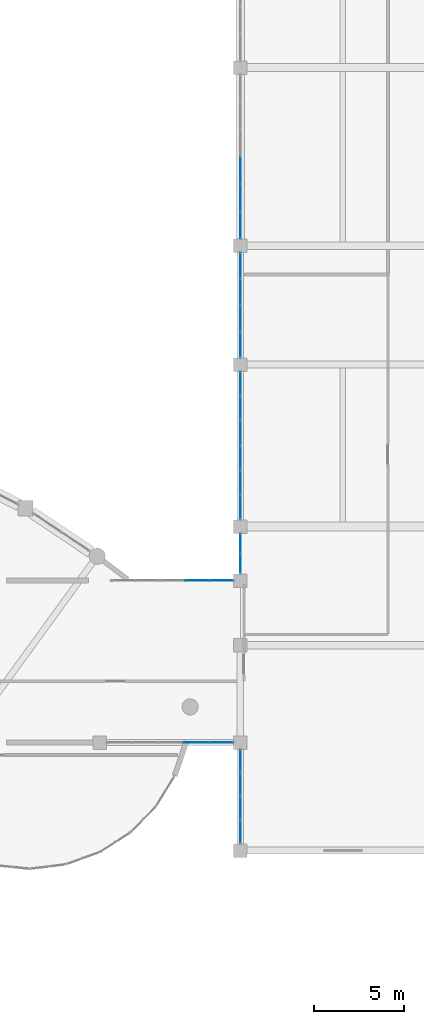
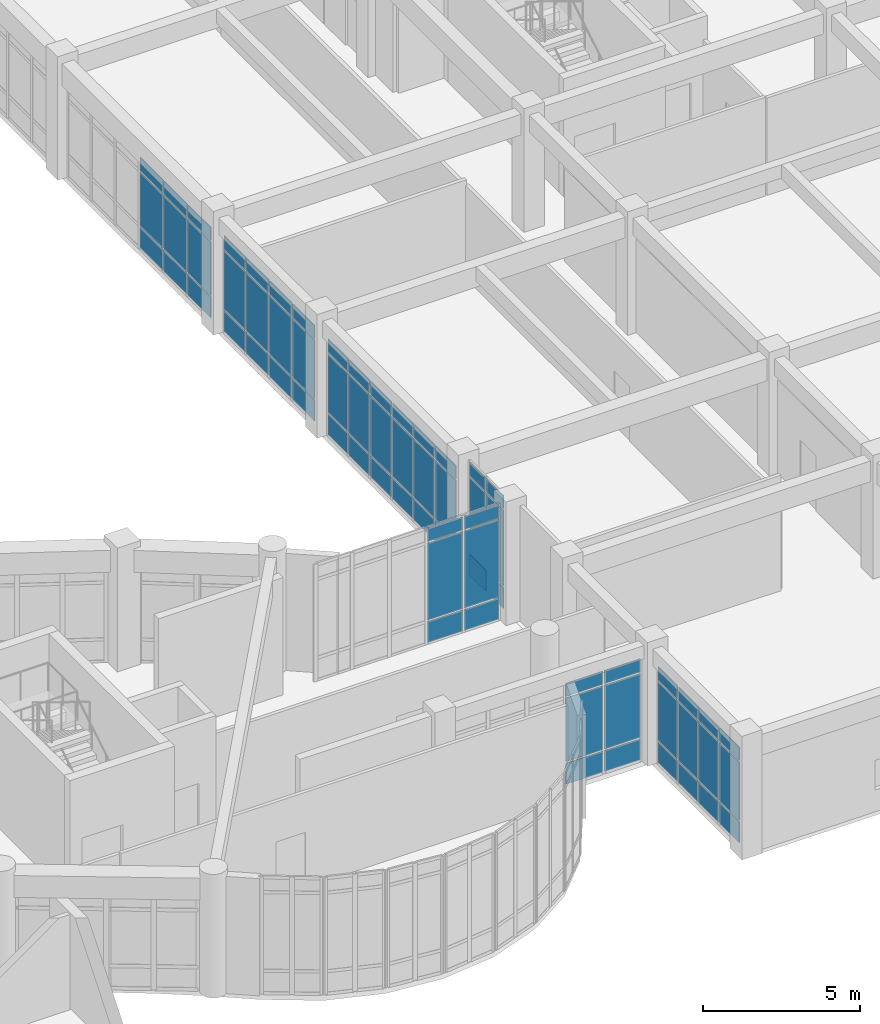
# One storey, part 46 of 68: 69 plates, 7 elements without a shape of their own.
"""IFC4 building model written with IfcOpenShell, lengths in metres."""

from ifc_helpers import new_model, si_unit, direction, frame, origin, origin_2d, place, context, subcontext, project, spatial, rectangle, extrude, material, layer, layer_set, type_object, element, aggregate, save


model = new_model("IFC4")

# Units and contexts
model_context = context("Model", 3, precision=1e-05, world=origin(), true_north=direction((0.0, 1.0)))
body_context = subcontext(model_context, "Body", "Model", "MODEL_VIEW")
ifc_project = project(units=[si_unit("LENGTHUNIT", "METRE"), si_unit("AREAUNIT", "SQUARE_METRE"), si_unit("VOLUMEUNIT", "CUBIC_METRE"), si_unit("PLANEANGLEUNIT", "RADIAN"), si_unit("MASSUNIT", "GRAM", prefix="KILO")], contexts=[model_context])

# Site, building, storey
site_placement = place(None, origin())
site = spatial("IfcSite", under=ifc_project, at=site_placement, CompositionType="ELEMENT")
building_placement = place(site_placement, origin())
building = spatial("IfcBuilding", under=site, at=building_placement, Name="Miralva Faculty of Natural Sciences", CompositionType="ELEMENT")
storey_placement = place(building_placement, frame((0.0, 0.0, 5.39990234375)))
storey = spatial("IfcBuildingStorey", under=building, at=storey_placement, Name="L01", CompositionType="ELEMENT", Elevation=5.39990234375)

# Curtain wall, plates
ifc_material = material(Name="Laminated solar-control glass", Category="glass")
ifc_layer_1 = layer(ifc_material, 0.179931640625, Name="CW-COM-L01")
ifc_layer_set_1 = layer_set([ifc_layer_1], Name="Laminated solar-control glass")
curtain_wall_type = type_object("IfcCurtainWallType", Name="CW-COM-L01", PredefinedType="USERDEFINED", material=ifc_layer_set_1)
curtain_wall_1_placement = place(storey_placement, origin())
curtain_wall_1 = element("IfcCurtainWall", 1, at=curtain_wall_1_placement, inside=storey, type_object=curtain_wall_type, Name="Curtain wall CW-10 L01-261", ObjectType="UNITISED CURTAIN WALL", PredefinedType="USERDEFINED")
ifc_layer_2 = layer(ifc_material, 0.028076171875, Name="PNL-P01")
ifc_layer_set_2 = layer_set([ifc_layer_2], Name="Laminated solar-control glass")
plate_type = type_object("IfcPlateType", Name="PNL-P01", PredefinedType="CURTAIN_PANEL", material=ifc_layer_set_2)
plate_1_placement = place(storey_placement, frame((133.800048828125, 13.038818359375, 0.06005859375), z_axis=(0.0, 0.0, 1.0), x_axis=(0.0, 1.0, 0.0)))
plate_1 = element("IfcPlate", 2, at=plate_1_placement, type_object=plate_type, Name="CW-10 panel 1.1", PredefinedType="CURTAIN_PANEL", context=body_context, shape_type="SweptSolid", body=[
    extrude(rectangle(XDim=1.2275390625, YDim=0.028076171875, at=origin_2d()), origin(), (0.0, 0.0, 1.0), 0.81005859375),
])
plate_2_placement = place(storey_placement, frame((133.800048828125, 13.038818359375, 0.93017578125), z_axis=(0.0, 0.0, 1.0), x_axis=(0.0, 1.0, 0.0)))
plate_2 = element("IfcPlate", 3, at=plate_2_placement, type_object=plate_type, Name="CW-10 panel 1.2", PredefinedType="CURTAIN_PANEL", context=body_context, shape_type="SweptSolid", body=[
    extrude(rectangle(XDim=1.2275390625, YDim=0.028076171875, at=origin_2d()), origin(), (0.0, 0.0, 1.0), 2.264892578125),
])
plate_3_placement = place(storey_placement, frame((133.800048828125, 13.038818359375, 3.2548828125), z_axis=(0.0, 0.0, 1.0), x_axis=(0.0, 1.0, 0.0)))
plate_3 = element("IfcPlate", 4, at=plate_3_placement, type_object=plate_type, Name="CW-10 panel 1.3", PredefinedType="CURTAIN_PANEL", context=body_context, shape_type="SweptSolid", body=[
    extrude(rectangle(XDim=1.2275390625, YDim=0.028076171875, at=origin_2d()), origin(), (0.0, 0.0, 1.0), 0.510009765625),
])
plate_4_placement = place(storey_placement, frame((133.800048828125, 14.34130859375, 0.06005859375), z_axis=(0.0, 0.0, 1.0), x_axis=(0.0, 1.0, 0.0)))
plate_4 = element("IfcPlate", 5, at=plate_4_placement, type_object=plate_type, Name="CW-10 panel 2.1", PredefinedType="CURTAIN_PANEL", context=body_context, shape_type="SweptSolid", body=[
    extrude(rectangle(XDim=1.257568359375, YDim=0.028076171875, at=origin_2d()), origin(), (0.0, 0.0, 1.0), 0.81005859375),
])
plate_5_placement = place(storey_placement, frame((133.800048828125, 14.34130859375, 0.93017578125), z_axis=(0.0, 0.0, 1.0), x_axis=(0.0, 1.0, 0.0)))
plate_5 = element("IfcPlate", 6, at=plate_5_placement, type_object=plate_type, Name="CW-10 panel 2.2", PredefinedType="CURTAIN_PANEL", context=body_context, shape_type="SweptSolid", body=[
    extrude(rectangle(XDim=1.257568359375, YDim=0.028076171875, at=origin_2d()), origin(), (0.0, 0.0, 1.0), 2.264892578125),
])
plate_6_placement = place(storey_placement, frame((133.800048828125, 14.34130859375, 3.2548828125), z_axis=(0.0, 0.0, 1.0), x_axis=(0.0, 1.0, 0.0)))
plate_6 = element("IfcPlate", 7, at=plate_6_placement, type_object=plate_type, Name="CW-10 panel 2.3", PredefinedType="CURTAIN_PANEL", context=body_context, shape_type="SweptSolid", body=[
    extrude(rectangle(XDim=1.257568359375, YDim=0.028076171875, at=origin_2d()), origin(), (0.0, 0.0, 1.0), 0.510009765625),
])
plate_7_placement = place(storey_placement, frame((133.800048828125, 15.65869140625, 0.06005859375), z_axis=(0.0, 0.0, 1.0), x_axis=(0.0, 1.0, 0.0)))
plate_7 = element("IfcPlate", 8, at=plate_7_placement, type_object=plate_type, Name="CW-10 panel 3.1", PredefinedType="CURTAIN_PANEL", context=body_context, shape_type="SweptSolid", body=[
    extrude(rectangle(XDim=1.257568359375, YDim=0.028076171875, at=origin_2d()), origin(), (0.0, 0.0, 1.0), 0.81005859375),
])
plate_8_placement = place(storey_placement, frame((133.800048828125, 15.65869140625, 0.93017578125), z_axis=(0.0, 0.0, 1.0), x_axis=(0.0, 1.0, 0.0)))
plate_8 = element("IfcPlate", 9, at=plate_8_placement, type_object=plate_type, Name="CW-10 panel 3.2", PredefinedType="CURTAIN_PANEL", context=body_context, shape_type="SweptSolid", body=[
    extrude(rectangle(XDim=1.257568359375, YDim=0.028076171875, at=origin_2d()), origin(), (0.0, 0.0, 1.0), 2.264892578125),
])
plate_9_placement = place(storey_placement, frame((133.800048828125, 15.65869140625, 3.2548828125), z_axis=(0.0, 0.0, 1.0), x_axis=(0.0, 1.0, 0.0)))
plate_9 = element("IfcPlate", 10, at=plate_9_placement, type_object=plate_type, Name="CW-10 panel 3.3", PredefinedType="CURTAIN_PANEL", context=body_context, shape_type="SweptSolid", body=[
    extrude(rectangle(XDim=1.257568359375, YDim=0.028076171875, at=origin_2d()), origin(), (0.0, 0.0, 1.0), 0.510009765625),
])
plate_10_placement = place(storey_placement, frame((133.800048828125, 16.961181640625, 0.06005859375), z_axis=(0.0, 0.0, 1.0), x_axis=(0.0, 1.0, 0.0)))
plate_10 = element("IfcPlate", 11, at=plate_10_placement, type_object=plate_type, Name="CW-10 panel 4.1", PredefinedType="CURTAIN_PANEL", context=body_context, shape_type="SweptSolid", body=[
    extrude(rectangle(XDim=1.2275390625, YDim=0.028076171875, at=origin_2d()), origin(), (0.0, 0.0, 1.0), 0.81005859375),
])
plate_11_placement = place(storey_placement, frame((133.800048828125, 16.961181640625, 0.93017578125), z_axis=(0.0, 0.0, 1.0), x_axis=(0.0, 1.0, 0.0)))
plate_11 = element("IfcPlate", 12, at=plate_11_placement, type_object=plate_type, Name="CW-10 panel 4.2", PredefinedType="CURTAIN_PANEL", context=body_context, shape_type="SweptSolid", body=[
    extrude(rectangle(XDim=1.2275390625, YDim=0.028076171875, at=origin_2d()), origin(), (0.0, 0.0, 1.0), 2.264892578125),
])
plate_12_placement = place(storey_placement, frame((133.800048828125, 16.961181640625, 3.2548828125), z_axis=(0.0, 0.0, 1.0), x_axis=(0.0, 1.0, 0.0)))
plate_12 = element("IfcPlate", 13, at=plate_12_placement, type_object=plate_type, Name="CW-10 panel 4.3", PredefinedType="CURTAIN_PANEL", context=body_context, shape_type="SweptSolid", body=[
    extrude(rectangle(XDim=1.2275390625, YDim=0.028076171875, at=origin_2d()), origin(), (0.0, 0.0, 1.0), 0.510009765625),
])
aggregate(curtain_wall_1, [plate_1, plate_2, plate_3, plate_4, plate_5, plate_6, plate_7, plate_8, plate_9, plate_10, plate_11, plate_12])

curtain_wall_2_placement = place(storey_placement, origin())
curtain_wall_2 = element("IfcCurtainWall", 14, at=curtain_wall_2_placement, inside=storey, type_object=curtain_wall_type, Name="Curtain wall CW-10 L01-262", ObjectType="UNITISED CURTAIN WALL", PredefinedType="USERDEFINED")
plate_13_placement = place(storey_placement, frame((133.800048828125, 27.947509765625, 0.06005859375), z_axis=(0.0, 0.0, 1.0), x_axis=(0.0, 1.0, 0.0)))
plate_13 = element("IfcPlate", 15, at=plate_13_placement, type_object=plate_type, Name="CW-10 panel 1.1", PredefinedType="CURTAIN_PANEL", context=body_context, shape_type="SweptSolid", body=[
    extrude(rectangle(XDim=1.044921875, YDim=0.028076171875, at=origin_2d()), origin(), (0.0, 0.0, 1.0), 0.81005859375),
])
plate_14_placement = place(storey_placement, frame((133.800048828125, 27.947509765625, 0.93017578125), z_axis=(0.0, 0.0, 1.0), x_axis=(0.0, 1.0, 0.0)))
plate_14 = element("IfcPlate", 16, at=plate_14_placement, type_object=plate_type, Name="CW-10 panel 1.2", PredefinedType="CURTAIN_PANEL", context=body_context, shape_type="SweptSolid", body=[
    extrude(rectangle(XDim=1.044921875, YDim=0.028076171875, at=origin_2d()), origin(), (0.0, 0.0, 1.0), 2.93994140625),
])
plate_15_placement = place(storey_placement, frame((133.800048828125, 27.947509765625, 3.93017578125), z_axis=(0.0, 0.0, 1.0), x_axis=(0.0, 1.0, 0.0)))
plate_15 = element("IfcPlate", 17, at=plate_15_placement, type_object=plate_type, Name="CW-10 panel 1.3", PredefinedType="CURTAIN_PANEL", context=body_context, shape_type="SweptSolid", body=[
    extrude(rectangle(XDim=1.044921875, YDim=0.028076171875, at=origin_2d()), origin(), (0.0, 0.0, 1.0), 0.510009765625),
])
plate_16_placement = place(storey_placement, frame((133.800048828125, 29.052490234375, 0.06005859375), z_axis=(0.0, 0.0, 1.0), x_axis=(0.0, 1.0, 0.0)))
plate_16 = element("IfcPlate", 18, at=plate_16_placement, type_object=plate_type, Name="CW-10 panel 2.1", PredefinedType="CURTAIN_PANEL", context=body_context, shape_type="SweptSolid", body=[
    extrude(rectangle(XDim=1.044921875, YDim=0.028076171875, at=origin_2d()), origin(), (0.0, 0.0, 1.0), 0.81005859375),
])
plate_17_placement = place(storey_placement, frame((133.800048828125, 29.052490234375, 0.93017578125), z_axis=(0.0, 0.0, 1.0), x_axis=(0.0, 1.0, 0.0)))
plate_17 = element("IfcPlate", 19, at=plate_17_placement, type_object=plate_type, Name="CW-10 panel 2.2", PredefinedType="CURTAIN_PANEL", context=body_context, shape_type="SweptSolid", body=[
    extrude(rectangle(XDim=1.044921875, YDim=0.028076171875, at=origin_2d()), origin(), (0.0, 0.0, 1.0), 2.93994140625),
])
plate_18_placement = place(storey_placement, frame((133.800048828125, 29.052490234375, 3.93017578125), z_axis=(0.0, 0.0, 1.0), x_axis=(0.0, 1.0, 0.0)))
plate_18 = element("IfcPlate", 20, at=plate_18_placement, type_object=plate_type, Name="CW-10 panel 2.3", PredefinedType="CURTAIN_PANEL", context=body_context, shape_type="SweptSolid", body=[
    extrude(rectangle(XDim=1.044921875, YDim=0.028076171875, at=origin_2d()), origin(), (0.0, 0.0, 1.0), 0.510009765625),
])
aggregate(curtain_wall_2, [plate_13, plate_14, plate_15, plate_16, plate_17, plate_18])

curtain_wall_3_placement = place(storey_placement, origin())
curtain_wall_3 = element("IfcCurtainWall", 21, at=curtain_wall_3_placement, inside=storey, type_object=curtain_wall_type, Name="Curtain wall CW-10 L01-263", ObjectType="UNITISED CURTAIN WALL", PredefinedType="USERDEFINED")
plate_19_placement = place(storey_placement, frame((133.800048828125, 31.069091796875, 0.06005859375), z_axis=(0.0, 0.0, 1.0), x_axis=(0.0, 1.0, 0.0)))
plate_19 = element("IfcPlate", 22, at=plate_19_placement, type_object=plate_type, Name="CW-10 panel 1.1", PredefinedType="CURTAIN_PANEL", context=body_context, shape_type="SweptSolid", body=[
    extrude(rectangle(XDim=1.288330078125, YDim=0.028076171875, at=origin_2d()), origin(), (0.0, 0.0, 1.0), 0.81005859375),
])
plate_20_placement = place(storey_placement, frame((133.800048828125, 31.069091796875, 0.93017578125), z_axis=(0.0, 0.0, 1.0), x_axis=(0.0, 1.0, 0.0)))
plate_20 = element("IfcPlate", 23, at=plate_20_placement, type_object=plate_type, Name="CW-10 panel 1.2", PredefinedType="CURTAIN_PANEL", context=body_context, shape_type="SweptSolid", body=[
    extrude(rectangle(XDim=1.288330078125, YDim=0.028076171875, at=origin_2d()), origin(), (0.0, 0.0, 1.0), 2.264892578125),
])
plate_21_placement = place(storey_placement, frame((133.800048828125, 31.069091796875, 3.2548828125), z_axis=(0.0, 0.0, 1.0), x_axis=(0.0, 1.0, 0.0)))
plate_21 = element("IfcPlate", 24, at=plate_21_placement, type_object=plate_type, Name="CW-10 panel 1.3", PredefinedType="CURTAIN_PANEL", context=body_context, shape_type="SweptSolid", body=[
    extrude(rectangle(XDim=1.288330078125, YDim=0.028076171875, at=origin_2d()), origin(), (0.0, 0.0, 1.0), 0.510009765625),
])
plate_22_placement = place(storey_placement, frame((133.800048828125, 32.4326171875, 0.06005859375), z_axis=(0.0, 0.0, 1.0), x_axis=(0.0, 1.0, 0.0)))
plate_22 = element("IfcPlate", 25, at=plate_22_placement, type_object=plate_type, Name="CW-10 panel 2.1", PredefinedType="CURTAIN_PANEL", context=body_context, shape_type="SweptSolid", body=[
    extrude(rectangle(XDim=1.318359375, YDim=0.028076171875, at=origin_2d()), origin(), (0.0, 0.0, 1.0), 0.81005859375),
])
plate_23_placement = place(storey_placement, frame((133.800048828125, 32.4326171875, 0.93017578125), z_axis=(0.0, 0.0, 1.0), x_axis=(0.0, 1.0, 0.0)))
plate_23 = element("IfcPlate", 26, at=plate_23_placement, type_object=plate_type, Name="CW-10 panel 2.2", PredefinedType="CURTAIN_PANEL", context=body_context, shape_type="SweptSolid", body=[
    extrude(rectangle(XDim=1.318359375, YDim=0.028076171875, at=origin_2d()), origin(), (0.0, 0.0, 1.0), 2.264892578125),
])
plate_24_placement = place(storey_placement, frame((133.800048828125, 32.4326171875, 3.2548828125), z_axis=(0.0, 0.0, 1.0), x_axis=(0.0, 1.0, 0.0)))
plate_24 = element("IfcPlate", 27, at=plate_24_placement, type_object=plate_type, Name="CW-10 panel 2.3", PredefinedType="CURTAIN_PANEL", context=body_context, shape_type="SweptSolid", body=[
    extrude(rectangle(XDim=1.318359375, YDim=0.028076171875, at=origin_2d()), origin(), (0.0, 0.0, 1.0), 0.510009765625),
])
plate_25_placement = place(storey_placement, frame((133.800048828125, 33.810791015625, 0.06005859375), z_axis=(0.0, 0.0, 1.0), x_axis=(0.0, 1.0, 0.0)))
plate_25 = element("IfcPlate", 28, at=plate_25_placement, type_object=plate_type, Name="CW-10 panel 3.1", PredefinedType="CURTAIN_PANEL", context=body_context, shape_type="SweptSolid", body=[
    extrude(rectangle(XDim=1.318359375, YDim=0.028076171875, at=origin_2d()), origin(), (0.0, 0.0, 1.0), 0.81005859375),
])
plate_26_placement = place(storey_placement, frame((133.800048828125, 33.810791015625, 0.93017578125), z_axis=(0.0, 0.0, 1.0), x_axis=(0.0, 1.0, 0.0)))
plate_26 = element("IfcPlate", 29, at=plate_26_placement, type_object=plate_type, Name="CW-10 panel 3.2", PredefinedType="CURTAIN_PANEL", context=body_context, shape_type="SweptSolid", body=[
    extrude(rectangle(XDim=1.318359375, YDim=0.028076171875, at=origin_2d()), origin(), (0.0, 0.0, 1.0), 2.264892578125),
])
plate_27_placement = place(storey_placement, frame((133.800048828125, 33.810791015625, 3.2548828125), z_axis=(0.0, 0.0, 1.0), x_axis=(0.0, 1.0, 0.0)))
plate_27 = element("IfcPlate", 30, at=plate_27_placement, type_object=plate_type, Name="CW-10 panel 3.3", PredefinedType="CURTAIN_PANEL", context=body_context, shape_type="SweptSolid", body=[
    extrude(rectangle(XDim=1.318359375, YDim=0.028076171875, at=origin_2d()), origin(), (0.0, 0.0, 1.0), 0.510009765625),
])
plate_28_placement = place(storey_placement, frame((133.800048828125, 35.189208984375, 0.06005859375), z_axis=(0.0, 0.0, 1.0), x_axis=(0.0, 1.0, 0.0)))
plate_28 = element("IfcPlate", 31, at=plate_28_placement, type_object=plate_type, Name="CW-10 panel 4.1", PredefinedType="CURTAIN_PANEL", context=body_context, shape_type="SweptSolid", body=[
    extrude(rectangle(XDim=1.318359375, YDim=0.028076171875, at=origin_2d()), origin(), (0.0, 0.0, 1.0), 0.81005859375),
])
plate_29_placement = place(storey_placement, frame((133.800048828125, 35.189208984375, 0.93017578125), z_axis=(0.0, 0.0, 1.0), x_axis=(0.0, 1.0, 0.0)))
plate_29 = element("IfcPlate", 32, at=plate_29_placement, type_object=plate_type, Name="CW-10 panel 4.2", PredefinedType="CURTAIN_PANEL", context=body_context, shape_type="SweptSolid", body=[
    extrude(rectangle(XDim=1.318359375, YDim=0.028076171875, at=origin_2d()), origin(), (0.0, 0.0, 1.0), 2.264892578125),
])
plate_30_placement = place(storey_placement, frame((133.800048828125, 35.189208984375, 3.2548828125), z_axis=(0.0, 0.0, 1.0), x_axis=(0.0, 1.0, 0.0)))
plate_30 = element("IfcPlate", 33, at=plate_30_placement, type_object=plate_type, Name="CW-10 panel 4.3", PredefinedType="CURTAIN_PANEL", context=body_context, shape_type="SweptSolid", body=[
    extrude(rectangle(XDim=1.318359375, YDim=0.028076171875, at=origin_2d()), origin(), (0.0, 0.0, 1.0), 0.510009765625),
])
plate_31_placement = place(storey_placement, frame((133.800048828125, 36.5673828125, 0.06005859375), z_axis=(0.0, 0.0, 1.0), x_axis=(0.0, 1.0, 0.0)))
plate_31 = element("IfcPlate", 34, at=plate_31_placement, type_object=plate_type, Name="CW-10 panel 5.1", PredefinedType="CURTAIN_PANEL", context=body_context, shape_type="SweptSolid", body=[
    extrude(rectangle(XDim=1.318359375, YDim=0.028076171875, at=origin_2d()), origin(), (0.0, 0.0, 1.0), 0.81005859375),
])
plate_32_placement = place(storey_placement, frame((133.800048828125, 36.5673828125, 0.93017578125), z_axis=(0.0, 0.0, 1.0), x_axis=(0.0, 1.0, 0.0)))
plate_32 = element("IfcPlate", 35, at=plate_32_placement, type_object=plate_type, Name="CW-10 panel 5.2", PredefinedType="CURTAIN_PANEL", context=body_context, shape_type="SweptSolid", body=[
    extrude(rectangle(XDim=1.318359375, YDim=0.028076171875, at=origin_2d()), origin(), (0.0, 0.0, 1.0), 2.264892578125),
])
plate_33_placement = place(storey_placement, frame((133.800048828125, 36.5673828125, 3.2548828125), z_axis=(0.0, 0.0, 1.0), x_axis=(0.0, 1.0, 0.0)))
plate_33 = element("IfcPlate", 36, at=plate_33_placement, type_object=plate_type, Name="CW-10 panel 5.3", PredefinedType="CURTAIN_PANEL", context=body_context, shape_type="SweptSolid", body=[
    extrude(rectangle(XDim=1.318359375, YDim=0.028076171875, at=origin_2d()), origin(), (0.0, 0.0, 1.0), 0.510009765625),
])
plate_34_placement = place(storey_placement, frame((133.800048828125, 37.930908203125, 0.06005859375), z_axis=(0.0, 0.0, 1.0), x_axis=(0.0, 1.0, 0.0)))
plate_34 = element("IfcPlate", 37, at=plate_34_placement, type_object=plate_type, Name="CW-10 panel 6.1", PredefinedType="CURTAIN_PANEL", context=body_context, shape_type="SweptSolid", body=[
    extrude(rectangle(XDim=1.288330078125, YDim=0.028076171875, at=origin_2d()), origin(), (0.0, 0.0, 1.0), 0.81005859375),
])
plate_35_placement = place(storey_placement, frame((133.800048828125, 37.930908203125, 0.93017578125), z_axis=(0.0, 0.0, 1.0), x_axis=(0.0, 1.0, 0.0)))
plate_35 = element("IfcPlate", 38, at=plate_35_placement, type_object=plate_type, Name="CW-10 panel 6.2", PredefinedType="CURTAIN_PANEL", context=body_context, shape_type="SweptSolid", body=[
    extrude(rectangle(XDim=1.288330078125, YDim=0.028076171875, at=origin_2d()), origin(), (0.0, 0.0, 1.0), 2.264892578125),
])
plate_36_placement = place(storey_placement, frame((133.800048828125, 37.930908203125, 3.2548828125), z_axis=(0.0, 0.0, 1.0), x_axis=(0.0, 1.0, 0.0)))
plate_36 = element("IfcPlate", 39, at=plate_36_placement, type_object=plate_type, Name="CW-10 panel 6.3", PredefinedType="CURTAIN_PANEL", context=body_context, shape_type="SweptSolid", body=[
    extrude(rectangle(XDim=1.288330078125, YDim=0.028076171875, at=origin_2d()), origin(), (0.0, 0.0, 1.0), 0.510009765625),
])
aggregate(curtain_wall_3, [plate_19, plate_20, plate_21, plate_22, plate_23, plate_24, plate_25, plate_26, plate_27, plate_28, plate_29, plate_30, plate_31, plate_32, plate_33, plate_34, plate_35, plate_36])

curtain_wall_4_placement = place(storey_placement, origin())
curtain_wall_4 = element("IfcCurtainWall", 40, at=curtain_wall_4_placement, inside=storey, type_object=curtain_wall_type, Name="Curtain wall CW-10 L01-264", ObjectType="UNITISED CURTAIN WALL", PredefinedType="USERDEFINED")
plate_37_placement = place(storey_placement, frame((133.800048828125, 40.114990234375, 0.06005859375), z_axis=(0.0, 0.0, 1.0), x_axis=(0.0, 1.0, 0.0)))
plate_37 = element("IfcPlate", 41, at=plate_37_placement, type_object=plate_type, Name="CW-10 panel 1.1", PredefinedType="CURTAIN_PANEL", context=body_context, shape_type="SweptSolid", body=[
    extrude(rectangle(XDim=1.3798828125, YDim=0.028076171875, at=origin_2d()), origin(), (0.0, 0.0, 1.0), 0.81005859375),
])
plate_38_placement = place(storey_placement, frame((133.800048828125, 40.114990234375, 0.93017578125), z_axis=(0.0, 0.0, 1.0), x_axis=(0.0, 1.0, 0.0)))
plate_38 = element("IfcPlate", 42, at=plate_38_placement, type_object=plate_type, Name="CW-10 panel 1.2", PredefinedType="CURTAIN_PANEL", context=body_context, shape_type="SweptSolid", body=[
    extrude(rectangle(XDim=1.3798828125, YDim=0.028076171875, at=origin_2d()), origin(), (0.0, 0.0, 1.0), 2.264892578125),
])
plate_39_placement = place(storey_placement, frame((133.800048828125, 40.114990234375, 3.2548828125), z_axis=(0.0, 0.0, 1.0), x_axis=(0.0, 1.0, 0.0)))
plate_39 = element("IfcPlate", 43, at=plate_39_placement, type_object=plate_type, Name="CW-10 panel 1.3", PredefinedType="CURTAIN_PANEL", context=body_context, shape_type="SweptSolid", body=[
    extrude(rectangle(XDim=1.3798828125, YDim=0.028076171875, at=origin_2d()), origin(), (0.0, 0.0, 1.0), 0.510009765625),
])
plate_40_placement = place(storey_placement, frame((133.800048828125, 41.570068359375, 0.06005859375), z_axis=(0.0, 0.0, 1.0), x_axis=(0.0, 1.0, 0.0)))
plate_40 = element("IfcPlate", 44, at=plate_40_placement, type_object=plate_type, Name="CW-10 panel 2.1", PredefinedType="CURTAIN_PANEL", context=body_context, shape_type="SweptSolid", body=[
    extrude(rectangle(XDim=1.409912109375, YDim=0.028076171875, at=origin_2d()), origin(), (0.0, 0.0, 1.0), 0.81005859375),
])
plate_41_placement = place(storey_placement, frame((133.800048828125, 41.570068359375, 0.93017578125), z_axis=(0.0, 0.0, 1.0), x_axis=(0.0, 1.0, 0.0)))
plate_41 = element("IfcPlate", 45, at=plate_41_placement, type_object=plate_type, Name="CW-10 panel 2.2", PredefinedType="CURTAIN_PANEL", context=body_context, shape_type="SweptSolid", body=[
    extrude(rectangle(XDim=1.409912109375, YDim=0.028076171875, at=origin_2d()), origin(), (0.0, 0.0, 1.0), 2.264892578125),
])
plate_42_placement = place(storey_placement, frame((133.800048828125, 41.570068359375, 3.2548828125), z_axis=(0.0, 0.0, 1.0), x_axis=(0.0, 1.0, 0.0)))
plate_42 = element("IfcPlate", 46, at=plate_42_placement, type_object=plate_type, Name="CW-10 panel 2.3", PredefinedType="CURTAIN_PANEL", context=body_context, shape_type="SweptSolid", body=[
    extrude(rectangle(XDim=1.409912109375, YDim=0.028076171875, at=origin_2d()), origin(), (0.0, 0.0, 1.0), 0.510009765625),
])
plate_43_placement = place(storey_placement, frame((133.800048828125, 43.0400390625, 0.06005859375), z_axis=(0.0, 0.0, 1.0), x_axis=(0.0, 1.0, 0.0)))
plate_43 = element("IfcPlate", 47, at=plate_43_placement, type_object=plate_type, Name="CW-10 panel 3.1", PredefinedType="CURTAIN_PANEL", context=body_context, shape_type="SweptSolid", body=[
    extrude(rectangle(XDim=1.409912109375, YDim=0.028076171875, at=origin_2d()), origin(), (0.0, 0.0, 1.0), 0.81005859375),
])
plate_44_placement = place(storey_placement, frame((133.800048828125, 43.0400390625, 0.93017578125), z_axis=(0.0, 0.0, 1.0), x_axis=(0.0, 1.0, 0.0)))
plate_44 = element("IfcPlate", 48, at=plate_44_placement, type_object=plate_type, Name="CW-10 panel 3.2", PredefinedType="CURTAIN_PANEL", context=body_context, shape_type="SweptSolid", body=[
    extrude(rectangle(XDim=1.409912109375, YDim=0.028076171875, at=origin_2d()), origin(), (0.0, 0.0, 1.0), 2.264892578125),
])
plate_45_placement = place(storey_placement, frame((133.800048828125, 43.0400390625, 3.2548828125), z_axis=(0.0, 0.0, 1.0), x_axis=(0.0, 1.0, 0.0)))
plate_45 = element("IfcPlate", 49, at=plate_45_placement, type_object=plate_type, Name="CW-10 panel 3.3", PredefinedType="CURTAIN_PANEL", context=body_context, shape_type="SweptSolid", body=[
    extrude(rectangle(XDim=1.409912109375, YDim=0.028076171875, at=origin_2d()), origin(), (0.0, 0.0, 1.0), 0.510009765625),
])
plate_46_placement = place(storey_placement, frame((133.800048828125, 44.4951171875, 0.06005859375), z_axis=(0.0, 0.0, 1.0), x_axis=(0.0, 1.0, 0.0)))
plate_46 = element("IfcPlate", 50, at=plate_46_placement, type_object=plate_type, Name="CW-10 panel 4.1", PredefinedType="CURTAIN_PANEL", context=body_context, shape_type="SweptSolid", body=[
    extrude(rectangle(XDim=1.3798828125, YDim=0.028076171875, at=origin_2d()), origin(), (0.0, 0.0, 1.0), 0.81005859375),
])
plate_47_placement = place(storey_placement, frame((133.800048828125, 44.4951171875, 0.93017578125), z_axis=(0.0, 0.0, 1.0), x_axis=(0.0, 1.0, 0.0)))
plate_47 = element("IfcPlate", 51, at=plate_47_placement, type_object=plate_type, Name="CW-10 panel 4.2", PredefinedType="CURTAIN_PANEL", context=body_context, shape_type="SweptSolid", body=[
    extrude(rectangle(XDim=1.3798828125, YDim=0.028076171875, at=origin_2d()), origin(), (0.0, 0.0, 1.0), 2.264892578125),
])
plate_48_placement = place(storey_placement, frame((133.800048828125, 44.4951171875, 3.2548828125), z_axis=(0.0, 0.0, 1.0), x_axis=(0.0, 1.0, 0.0)))
plate_48 = element("IfcPlate", 52, at=plate_48_placement, type_object=plate_type, Name="CW-10 panel 4.3", PredefinedType="CURTAIN_PANEL", context=body_context, shape_type="SweptSolid", body=[
    extrude(rectangle(XDim=1.3798828125, YDim=0.028076171875, at=origin_2d()), origin(), (0.0, 0.0, 1.0), 0.510009765625),
])
aggregate(curtain_wall_4, [plate_37, plate_38, plate_39, plate_40, plate_41, plate_42, plate_43, plate_44, plate_45, plate_46, plate_47, plate_48])

curtain_wall_5_placement = place(storey_placement, origin())
curtain_wall_5 = element("IfcCurtainWall", 53, at=curtain_wall_5_placement, inside=storey, type_object=curtain_wall_type, Name="Curtain wall CW-10 L01-265", ObjectType="UNITISED CURTAIN WALL", PredefinedType="USERDEFINED")
plate_49_placement = place(storey_placement, frame((133.800048828125, 46.744140625, 0.06005859375), z_axis=(0.0, 0.0, 1.0), x_axis=(0.0, 1.0, 0.0)))
plate_49 = element("IfcPlate", 54, at=plate_49_placement, type_object=plate_type, Name="CW-10 panel 1.1", PredefinedType="CURTAIN_PANEL", context=body_context, shape_type="SweptSolid", body=[
    extrude(rectangle(XDim=1.438232421875, YDim=0.028076171875, at=origin_2d()), origin(), (0.0, 0.0, 1.0), 0.81005859375),
])
plate_50_placement = place(storey_placement, frame((133.800048828125, 46.744140625, 0.93017578125), z_axis=(0.0, 0.0, 1.0), x_axis=(0.0, 1.0, 0.0)))
plate_50 = element("IfcPlate", 55, at=plate_50_placement, type_object=plate_type, Name="CW-10 panel 1.2", PredefinedType="CURTAIN_PANEL", context=body_context, shape_type="SweptSolid", body=[
    extrude(rectangle(XDim=1.438232421875, YDim=0.028076171875, at=origin_2d()), origin(), (0.0, 0.0, 1.0), 2.06494140625),
])
plate_51_placement = place(storey_placement, frame((133.800048828125, 46.744140625, 3.05517578125), z_axis=(0.0, 0.0, 1.0), x_axis=(0.0, 1.0, 0.0)))
plate_51 = element("IfcPlate", 56, at=plate_51_placement, type_object=plate_type, Name="CW-10 panel 1.3", PredefinedType="CURTAIN_PANEL", context=body_context, shape_type="SweptSolid", body=[
    extrude(rectangle(XDim=1.438232421875, YDim=0.028076171875, at=origin_2d()), origin(), (0.0, 0.0, 1.0), 0.510009765625),
])
plate_52_placement = place(storey_placement, frame((133.800048828125, 48.257568359375, 0.06005859375), z_axis=(0.0, 0.0, 1.0), x_axis=(0.0, 1.0, 0.0)))
plate_52 = element("IfcPlate", 57, at=plate_52_placement, type_object=plate_type, Name="CW-10 panel 2.1", PredefinedType="CURTAIN_PANEL", context=body_context, shape_type="SweptSolid", body=[
    extrude(rectangle(XDim=1.46826171875, YDim=0.028076171875, at=origin_2d()), origin(), (0.0, 0.0, 1.0), 0.81005859375),
])
plate_53_placement = place(storey_placement, frame((133.800048828125, 48.257568359375, 0.93017578125), z_axis=(0.0, 0.0, 1.0), x_axis=(0.0, 1.0, 0.0)))
plate_53 = element("IfcPlate", 58, at=plate_53_placement, type_object=plate_type, Name="CW-10 panel 2.2", PredefinedType="CURTAIN_PANEL", context=body_context, shape_type="SweptSolid", body=[
    extrude(rectangle(XDim=1.46826171875, YDim=0.028076171875, at=origin_2d()), origin(), (0.0, 0.0, 1.0), 2.06494140625),
])
plate_54_placement = place(storey_placement, frame((133.800048828125, 48.257568359375, 3.05517578125), z_axis=(0.0, 0.0, 1.0), x_axis=(0.0, 1.0, 0.0)))
plate_54 = element("IfcPlate", 59, at=plate_54_placement, type_object=plate_type, Name="CW-10 panel 2.3", PredefinedType="CURTAIN_PANEL", context=body_context, shape_type="SweptSolid", body=[
    extrude(rectangle(XDim=1.46826171875, YDim=0.028076171875, at=origin_2d()), origin(), (0.0, 0.0, 1.0), 0.510009765625),
])
plate_55_placement = place(storey_placement, frame((133.800048828125, 49.785888671875, 0.06005859375), z_axis=(0.0, 0.0, 1.0), x_axis=(0.0, 1.0, 0.0)))
plate_55 = element("IfcPlate", 60, at=plate_55_placement, type_object=plate_type, Name="CW-10 panel 3.1", PredefinedType="CURTAIN_PANEL", context=body_context, shape_type="SweptSolid", body=[
    extrude(rectangle(XDim=1.46826171875, YDim=0.028076171875, at=origin_2d()), origin(), (0.0, 0.0, 1.0), 0.81005859375),
])
plate_56_placement = place(storey_placement, frame((133.800048828125, 49.785888671875, 0.93017578125), z_axis=(0.0, 0.0, 1.0), x_axis=(0.0, 1.0, 0.0)))
plate_56 = element("IfcPlate", 61, at=plate_56_placement, type_object=plate_type, Name="CW-10 panel 3.2", PredefinedType="CURTAIN_PANEL", context=body_context, shape_type="SweptSolid", body=[
    extrude(rectangle(XDim=1.46826171875, YDim=0.028076171875, at=origin_2d()), origin(), (0.0, 0.0, 1.0), 2.06494140625),
])
plate_57_placement = place(storey_placement, frame((133.800048828125, 49.785888671875, 3.05517578125), z_axis=(0.0, 0.0, 1.0), x_axis=(0.0, 1.0, 0.0)))
plate_57 = element("IfcPlate", 62, at=plate_57_placement, type_object=plate_type, Name="CW-10 panel 3.3", PredefinedType="CURTAIN_PANEL", context=body_context, shape_type="SweptSolid", body=[
    extrude(rectangle(XDim=1.46826171875, YDim=0.028076171875, at=origin_2d()), origin(), (0.0, 0.0, 1.0), 0.510009765625),
])
aggregate(curtain_wall_5, [plate_49, plate_50, plate_51, plate_52, plate_53, plate_54, plate_55, plate_56, plate_57])

curtain_wall_6_placement = place(storey_placement, origin())
curtain_wall_6 = element("IfcCurtainWall", 63, at=curtain_wall_6_placement, inside=storey, type_object=curtain_wall_type, Name="Curtain wall CW-10 L01-290", ObjectType="UNITISED CURTAIN WALL", PredefinedType="USERDEFINED")
plate_58_placement = place(storey_placement, frame((131.321044921875, 18.0, 0.06005859375), z_axis=(0.0, 0.0, 1.0), x_axis=(1.0, 0.0, 0.0)))
plate_58 = element("IfcPlate", 64, at=plate_58_placement, type_object=plate_type, Name="CW-10 panel 4.1", PredefinedType="CURTAIN_PANEL", context=body_context, shape_type="SweptSolid", body=[
    extrude(rectangle(XDim=1.35595703125, YDim=0.028076171875, at=origin_2d()), origin(), (0.0, 0.0, 1.0), 0.81005859375),
])
plate_59_placement = place(storey_placement, frame((131.321044921875, 18.0, 0.929931640625), z_axis=(0.0, 0.0, 1.0), x_axis=(1.0, 0.0, 0.0)))
plate_59 = element("IfcPlate", 65, at=plate_59_placement, type_object=plate_type, Name="CW-10 panel 4.2", PredefinedType="CURTAIN_PANEL", context=body_context, shape_type="SweptSolid", body=[
    extrude(rectangle(XDim=1.35595703125, YDim=0.028076171875, at=origin_2d()), origin(), (0.0, 0.0, 1.0), 2.47509765625),
])
plate_60_placement = place(storey_placement, frame((131.321044921875, 18.0, 3.46533203125), z_axis=(0.0, 0.0, 1.0), x_axis=(1.0, 0.0, 0.0)))
plate_60 = element("IfcPlate", 66, at=plate_60_placement, type_object=plate_type, Name="CW-10 panel 4.3", PredefinedType="CURTAIN_PANEL", context=body_context, shape_type="SweptSolid", body=[
    extrude(rectangle(XDim=1.35595703125, YDim=0.028076171875, at=origin_2d()), origin(), (0.0, 0.0, 1.0), 0.510009765625),
])
plate_61_placement = place(storey_placement, frame((132.721923828125, 18.0, 0.06005859375), z_axis=(0.0, 0.0, 1.0), x_axis=(1.0, 0.0, 0.0)))
plate_61 = element("IfcPlate", 67, at=plate_61_placement, type_object=plate_type, Name="CW-10 panel 5.1", PredefinedType="CURTAIN_PANEL", context=body_context, shape_type="SweptSolid", body=[
    extrude(rectangle(XDim=1.325927734375, YDim=0.028076171875, at=origin_2d()), origin(), (0.0, 0.0, 1.0), 0.81005859375),
])
plate_62_placement = place(storey_placement, frame((132.721923828125, 18.0, 0.929931640625), z_axis=(0.0, 0.0, 1.0), x_axis=(1.0, 0.0, 0.0)))
plate_62 = element("IfcPlate", 68, at=plate_62_placement, type_object=plate_type, Name="CW-10 panel 5.2", PredefinedType="CURTAIN_PANEL", context=body_context, shape_type="SweptSolid", body=[
    extrude(rectangle(XDim=1.325927734375, YDim=0.028076171875, at=origin_2d()), origin(), (0.0, 0.0, 1.0), 2.47509765625),
])
plate_63_placement = place(storey_placement, frame((132.721923828125, 18.0, 3.46533203125), z_axis=(0.0, 0.0, 1.0), x_axis=(1.0, 0.0, 0.0)))
plate_63 = element("IfcPlate", 69, at=plate_63_placement, type_object=plate_type, Name="CW-10 panel 5.3", PredefinedType="CURTAIN_PANEL", context=body_context, shape_type="SweptSolid", body=[
    extrude(rectangle(XDim=1.325927734375, YDim=0.028076171875, at=origin_2d()), origin(), (0.0, 0.0, 1.0), 0.510009765625),
])
aggregate(curtain_wall_6, [plate_58, plate_59, plate_60, plate_61, plate_62, plate_63])

curtain_wall_7_placement = place(storey_placement, origin())
curtain_wall_7 = element("IfcCurtainWall", 70, at=curtain_wall_7_placement, inside=storey, type_object=curtain_wall_type, Name="Curtain wall CW-10 L01-293", ObjectType="UNITISED CURTAIN WALL", PredefinedType="USERDEFINED")
plate_64_placement = place(storey_placement, frame((131.3974609375, 27.0, 0.06005859375), z_axis=(0.0, 0.0, 1.0), x_axis=(1.0, 0.0, 0.0)))
plate_64 = element("IfcPlate", 71, at=plate_64_placement, type_object=plate_type, Name="CW-10 panel 4.1", PredefinedType="CURTAIN_PANEL", context=body_context, shape_type="SweptSolid", body=[
    extrude(rectangle(XDim=1.304931640625, YDim=0.028076171875, at=origin_2d()), origin(), (0.0, 0.0, 1.0), 0.81005859375),
])
plate_65_placement = place(storey_placement, frame((131.3974609375, 27.0, 0.93017578125), z_axis=(0.0, 0.0, 1.0), x_axis=(1.0, 0.0, 0.0)))
plate_65 = element("IfcPlate", 72, at=plate_65_placement, type_object=plate_type, Name="CW-10 panel 4.2", PredefinedType="CURTAIN_PANEL", context=body_context, shape_type="SweptSolid", body=[
    extrude(rectangle(XDim=1.304931640625, YDim=0.028076171875, at=origin_2d()), origin(), (0.0, 0.0, 1.0), 2.989990234375),
])
plate_66_placement = place(storey_placement, frame((131.3974609375, 27.0, 3.97998046875), z_axis=(0.0, 0.0, 1.0), x_axis=(1.0, 0.0, 0.0)))
plate_66 = element("IfcPlate", 73, at=plate_66_placement, type_object=plate_type, Name="CW-10 panel 4.3", PredefinedType="CURTAIN_PANEL", context=body_context, shape_type="SweptSolid", body=[
    extrude(rectangle(XDim=1.304931640625, YDim=0.028076171875, at=origin_2d()), origin(), (0.0, 0.0, 1.0), 0.510009765625),
])
plate_67_placement = place(storey_placement, frame((132.74755859375, 27.0, 0.06005859375), z_axis=(0.0, 0.0, 1.0), x_axis=(1.0, 0.0, 0.0)))
plate_67 = element("IfcPlate", 74, at=plate_67_placement, type_object=plate_type, Name="CW-10 panel 5.1", PredefinedType="CURTAIN_PANEL", context=body_context, shape_type="SweptSolid", body=[
    extrude(rectangle(XDim=1.27490234375, YDim=0.028076171875, at=origin_2d()), origin(), (0.0, 0.0, 1.0), 0.81005859375),
])
plate_68_placement = place(storey_placement, frame((132.74755859375, 27.0, 0.93017578125), z_axis=(0.0, 0.0, 1.0), x_axis=(1.0, 0.0, 0.0)))
plate_68 = element("IfcPlate", 75, at=plate_68_placement, type_object=plate_type, Name="CW-10 panel 5.2", PredefinedType="CURTAIN_PANEL", context=body_context, shape_type="SweptSolid", body=[
    extrude(rectangle(XDim=1.27490234375, YDim=0.028076171875, at=origin_2d()), origin(), (0.0, 0.0, 1.0), 2.989990234375),
])
plate_69_placement = place(storey_placement, frame((132.74755859375, 27.0, 3.97998046875), z_axis=(0.0, 0.0, 1.0), x_axis=(1.0, 0.0, 0.0)))
plate_69 = element("IfcPlate", 76, at=plate_69_placement, type_object=plate_type, Name="CW-10 panel 5.3", PredefinedType="CURTAIN_PANEL", context=body_context, shape_type="SweptSolid", body=[
    extrude(rectangle(XDim=1.27490234375, YDim=0.028076171875, at=origin_2d()), origin(), (0.0, 0.0, 1.0), 0.510009765625),
])
aggregate(curtain_wall_7, [plate_64, plate_65, plate_66, plate_67, plate_68, plate_69])

save(model, "model.ifc")
